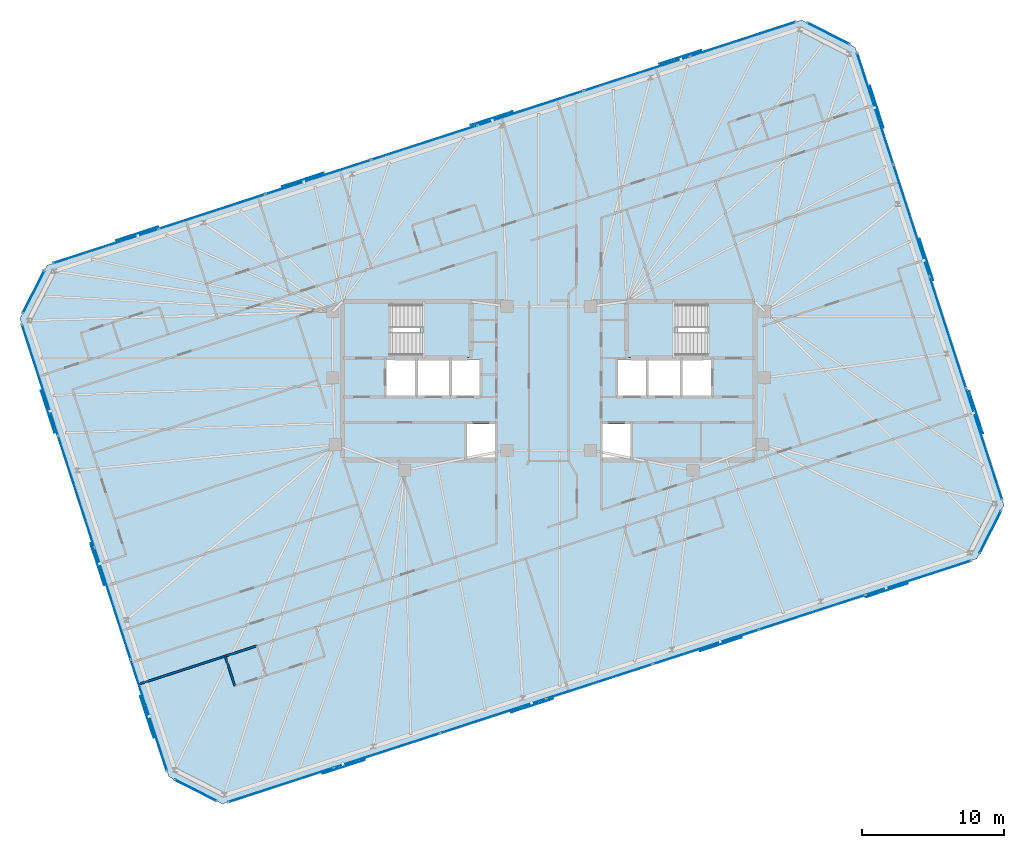
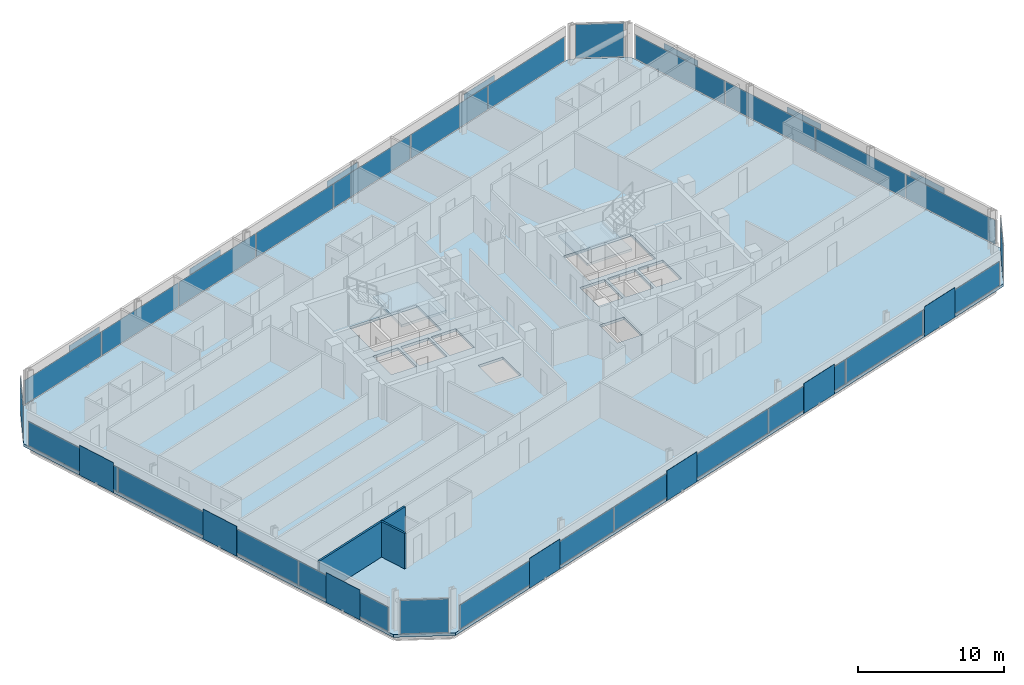
# One storey, part 12 of 19: 40 plates, 3 slabs, 3 walls, 10 elements without a shape of their own.
"""IFC4 building model written with IfcOpenShell, lengths in metres."""

from ifc_helpers import new_model, si_unit, direction, frame, frame_2d, origin, origin_2d, place, context, subcontext, project, spatial, polyline, rectangle, outline, extrude, material, layer, layer_set, type_object, element, aggregate, save


model = new_model("IFC4")

# Units and contexts
model_context = context("Model", 3, precision=1e-05, world=origin(), true_north=direction((0.0, 1.0)))
body_context = subcontext(model_context, "Body", "Model", "MODEL_VIEW")
ifc_project = project(units=[si_unit("LENGTHUNIT", "METRE"), si_unit("AREAUNIT", "SQUARE_METRE"), si_unit("VOLUMEUNIT", "CUBIC_METRE"), si_unit("PLANEANGLEUNIT", "RADIAN"), si_unit("MASSUNIT", "GRAM", prefix="KILO")], contexts=[model_context])

# Site, building, storey
site_placement = place(None, origin())
site = spatial("IfcSite", under=ifc_project, at=site_placement, CompositionType="ELEMENT")
building_placement = place(site_placement, origin())
building = spatial("IfcBuilding", under=site, at=building_placement, Name="Menara Jurai Vektor", CompositionType="ELEMENT")
storey_placement = place(building_placement, frame((0.0, 0.0, 251.10009765625)))
storey = spatial("IfcBuildingStorey", under=building, at=storey_placement, Name="L67", CompositionType="ELEMENT", Elevation=251.10009765625)

# Curtain wall, plates
ifc_material_1 = material(Name="Anodised Pale Aluminium & Low-E Double Glazing", Category="aluminium")
curtain_wall_type = type_object("IfcCurtainWallType", Name="CW-BLK4", PredefinedType="NOTDEFINED", material=ifc_material_1)
curtain_wall_1_placement = place(storey_placement, origin())
curtain_wall_1 = element("IfcCurtainWall", 1, at=curtain_wall_1_placement, inside=storey, type_object=curtain_wall_type, Name="Unitised Curtain Wall L67 F01", PredefinedType="NOTDEFINED")
ifc_material_2 = material(Name="Low-E Solar-Control Double Glazed Unit", Category="glass")
ifc_layer_1 = layer(ifc_material_2, 0.030029296875)
ifc_layer_set_1 = layer_set([ifc_layer_1], Name="Low-E Solar-Control Double Glazed Unit")
plate_type_1 = type_object("IfcPlateType", Name="CW-BLK4-PNL", PredefinedType="CURTAIN_PANEL", material=ifc_layer_set_1)
plate_1_placement = place(storey_placement, frame((-18.916259765625, -28.53076171875, 0.080078125), z_axis=(0.0, 0.0, 1.0), x_axis=(0.951056402641, 0.309017344167, 0.0)))
plate_1 = element("IfcPlate", 2, at=plate_1_placement, type_object=plate_type_1, Name="CW-04 panel 1.1", PredefinedType="CURTAIN_PANEL", context=body_context, shape_type="SweptSolid", body=[
    extrude(rectangle(XDim=7.771484375, YDim=0.030029296875, at=origin_2d()), origin(), (0.0, 0.0, 1.0), 2.014892578125),
])
plate_2_placement = place(storey_placement, frame((-11.429931640625, -26.098388671875, 0.080078125), z_axis=(0.0, 0.0, 1.0), x_axis=(0.951056402641, 0.309017344167, 0.0)))
plate_2 = element("IfcPlate", 3, at=plate_2_placement, type_object=plate_type_1, Name="CW-04 panel 2.1", PredefinedType="CURTAIN_PANEL", context=body_context, shape_type="SweptSolid", body=[
    extrude(rectangle(XDim=7.8115234375, YDim=0.030029296875, at=origin_2d()), origin(), (0.0, 0.0, 1.0), 2.014892578125),
])
plate_3_placement = place(storey_placement, frame((-3.9248046875, -23.65966796875, 0.080078125), z_axis=(0.0, 0.0, 1.0), x_axis=(0.951056402641, 0.309017344167, 0.0)))
plate_3 = element("IfcPlate", 4, at=plate_3_placement, type_object=plate_type_1, Name="CW-04 panel 3.1", PredefinedType="CURTAIN_PANEL", context=body_context, shape_type="SweptSolid", body=[
    extrude(rectangle(XDim=7.8115234375, YDim=0.030029296875, at=origin_2d()), origin(), (0.0, 0.0, 1.0), 2.014892578125),
])
plate_4_placement = place(storey_placement, frame((3.580322265625, -21.22119140625, 0.080078125), z_axis=(0.0, 0.0, 1.0), x_axis=(0.951056402641, 0.309017344167, 0.0)))
plate_4 = element("IfcPlate", 5, at=plate_4_placement, type_object=plate_type_1, Name="CW-04 panel 4.1", PredefinedType="CURTAIN_PANEL", context=body_context, shape_type="SweptSolid", body=[
    extrude(rectangle(XDim=7.8115234375, YDim=0.030029296875, at=origin_2d()), origin(), (0.0, 0.0, 1.0), 2.014892578125),
])
plate_5_placement = place(storey_placement, frame((11.08544921875, -18.782470703125, 0.080078125), z_axis=(0.0, 0.0, 1.0), x_axis=(0.951056402641, 0.309017344167, 0.0)))
plate_5 = element("IfcPlate", 6, at=plate_5_placement, type_object=plate_type_1, Name="CW-04 panel 5.1", PredefinedType="CURTAIN_PANEL", context=body_context, shape_type="SweptSolid", body=[
    extrude(rectangle(XDim=7.8115234375, YDim=0.030029296875, at=origin_2d()), origin(), (0.0, 0.0, 1.0), 2.014892578125),
])
plate_6_placement = place(storey_placement, frame((18.5908203125, -16.343994140625, 0.080078125), z_axis=(0.0, 0.0, 1.0), x_axis=(0.951056402641, 0.309017344167, 0.0)))
plate_6 = element("IfcPlate", 7, at=plate_6_placement, type_object=plate_type_1, Name="CW-04 panel 6.1", PredefinedType="CURTAIN_PANEL", context=body_context, shape_type="SweptSolid", body=[
    extrude(rectangle(XDim=7.8115234375, YDim=0.030029296875, at=origin_2d()), origin(), (0.0, 0.0, 1.0), 2.014892578125),
])
plate_7_placement = place(storey_placement, frame((26.076904296875, -13.91162109375, 0.080078125), z_axis=(0.0, 0.0, 1.0), x_axis=(0.951056402641, 0.309017344167, 0.0)))
plate_7 = element("IfcPlate", 8, at=plate_7_placement, type_object=plate_type_1, Name="CW-04 panel 7.1", PredefinedType="CURTAIN_PANEL", context=body_context, shape_type="SweptSolid", body=[
    extrude(rectangle(XDim=7.771484375, YDim=0.030029296875, at=origin_2d()), origin(), (0.0, 0.0, 1.0), 2.014892578125),
])
aggregate(curtain_wall_1, [plate_1, plate_2, plate_3, plate_4, plate_5, plate_6, plate_7])

curtain_wall_2_placement = place(storey_placement, origin())
curtain_wall_2 = element("IfcCurtainWall", 9, at=curtain_wall_2_placement, inside=storey, type_object=curtain_wall_type, Name="Unitised Curtain Wall L67 F03", PredefinedType="NOTDEFINED")
plate_8_placement = place(storey_placement, frame((30.728515625, -4.456298828125, 0.080078125), z_axis=(0.0, 0.0, 1.0), x_axis=(-0.309016481464, 0.95105668295, 0.0)))
plate_8 = element("IfcPlate", 10, at=plate_8_placement, type_object=plate_type_1, Name="CW-04 panel 1.1", PredefinedType="CURTAIN_PANEL", context=body_context, shape_type="SweptSolid", body=[
    extrude(rectangle(XDim=8.18994140625, YDim=0.030029296875, at=origin_2d()), origin(), (0.0, 0.0, 1.0), 2.014892578125),
])
plate_9_placement = place(storey_placement, frame((28.166748046875, 3.427978515625, 0.080078125), z_axis=(0.0, 0.0, 1.0), x_axis=(-0.309016481464, 0.95105668295, 0.0)))
plate_9 = element("IfcPlate", 11, at=plate_9_placement, type_object=plate_type_1, Name="CW-04 panel 2.1", PredefinedType="CURTAIN_PANEL", context=body_context, shape_type="SweptSolid", body=[
    extrude(rectangle(XDim=8.22998046875, YDim=0.030029296875, at=origin_2d()), origin(), (0.0, 0.0, 1.0), 2.014892578125),
])
plate_10_placement = place(storey_placement, frame((25.598876953125, 11.331298828125, 0.080078125), z_axis=(0.0, 0.0, 1.0), x_axis=(-0.309016481464, 0.95105668295, 0.0)))
plate_10 = element("IfcPlate", 12, at=plate_10_placement, type_object=plate_type_1, Name="CW-04 panel 3.1", PredefinedType="CURTAIN_PANEL", context=body_context, shape_type="SweptSolid", body=[
    extrude(rectangle(XDim=8.22998046875, YDim=0.030029296875, at=origin_2d()), origin(), (0.0, 0.0, 1.0), 2.014892578125),
])
plate_11_placement = place(storey_placement, frame((23.037109375, 19.21533203125, 0.080078125), z_axis=(0.0, 0.0, 1.0), x_axis=(-0.309016481464, 0.95105668295, 0.0)))
plate_11 = element("IfcPlate", 13, at=plate_11_placement, type_object=plate_type_1, Name="CW-04 panel 4.1", PredefinedType="CURTAIN_PANEL", context=body_context, shape_type="SweptSolid", body=[
    extrude(rectangle(XDim=8.18994140625, YDim=0.030029296875, at=origin_2d()), origin(), (0.0, 0.0, 1.0), 2.014892578125),
])
aggregate(curtain_wall_2, [plate_8, plate_9, plate_10, plate_11])

curtain_wall_3_placement = place(storey_placement, origin())
curtain_wall_3 = element("IfcCurtainWall", 14, at=curtain_wall_3_placement, inside=storey, type_object=curtain_wall_type, Name="Unitised Curtain Wall L67 F05", PredefinedType="NOTDEFINED")
plate_12_placement = place(storey_placement, frame((13.716064453125, 24.130615234375, 0.080078125), z_axis=(0.0, 0.0, 1.0), x_axis=(-0.951056402641, -0.309017344167, 0.0)))
plate_12 = element("IfcPlate", 15, at=plate_12_placement, type_object=plate_type_1, Name="CW-04 panel 1.1", PredefinedType="CURTAIN_PANEL", context=body_context, shape_type="SweptSolid", body=[
    extrude(rectangle(XDim=7.771484375, YDim=0.030029296875, at=origin_2d()), origin(), (0.0, 0.0, 1.0), 2.014892578125),
])
plate_13_placement = place(storey_placement, frame((6.22998046875, 21.6982421875, 0.080078125), z_axis=(0.0, 0.0, 1.0), x_axis=(-0.951056402641, -0.309017344167, 0.0)))
plate_13 = element("IfcPlate", 16, at=plate_13_placement, type_object=plate_type_1, Name="CW-04 panel 2.1", PredefinedType="CURTAIN_PANEL", context=body_context, shape_type="SweptSolid", body=[
    extrude(rectangle(XDim=7.8115234375, YDim=0.030029296875, at=origin_2d()), origin(), (0.0, 0.0, 1.0), 2.014892578125),
])
plate_14_placement = place(storey_placement, frame((-1.275146484375, 19.259765625, 0.080078125), z_axis=(0.0, 0.0, 1.0), x_axis=(-0.951056402641, -0.309017344167, 0.0)))
plate_14 = element("IfcPlate", 17, at=plate_14_placement, type_object=plate_type_1, Name="CW-04 panel 3.1", PredefinedType="CURTAIN_PANEL", context=body_context, shape_type="SweptSolid", body=[
    extrude(rectangle(XDim=7.8115234375, YDim=0.030029296875, at=origin_2d()), origin(), (0.0, 0.0, 1.0), 2.014892578125),
])
plate_15_placement = place(storey_placement, frame((-8.7802734375, 16.821044921875, 0.080078125), z_axis=(0.0, 0.0, 1.0), x_axis=(-0.951056402641, -0.309017344167, 0.0)))
plate_15 = element("IfcPlate", 18, at=plate_15_placement, type_object=plate_type_1, Name="CW-04 panel 4.1", PredefinedType="CURTAIN_PANEL", context=body_context, shape_type="SweptSolid", body=[
    extrude(rectangle(XDim=7.8115234375, YDim=0.030029296875, at=origin_2d()), origin(), (0.0, 0.0, 1.0), 2.014892578125),
])
plate_16_placement = place(storey_placement, frame((-16.28564453125, 14.382568359375, 0.080078125), z_axis=(0.0, 0.0, 1.0), x_axis=(-0.951056402641, -0.309017344167, 0.0)))
plate_16 = element("IfcPlate", 19, at=plate_16_placement, type_object=plate_type_1, Name="CW-04 panel 5.1", PredefinedType="CURTAIN_PANEL", context=body_context, shape_type="SweptSolid", body=[
    extrude(rectangle(XDim=7.8115234375, YDim=0.030029296875, at=origin_2d()), origin(), (0.0, 0.0, 1.0), 2.014892578125),
])
plate_17_placement = place(storey_placement, frame((-23.790771484375, 11.944091796875, 0.080078125), z_axis=(0.0, 0.0, 1.0), x_axis=(-0.951056402641, -0.309017344167, 0.0)))
plate_17 = element("IfcPlate", 20, at=plate_17_placement, type_object=plate_type_1, Name="CW-04 panel 6.1", PredefinedType="CURTAIN_PANEL", context=body_context, shape_type="SweptSolid", body=[
    extrude(rectangle(XDim=7.8115234375, YDim=0.030029296875, at=origin_2d()), origin(), (0.0, 0.0, 1.0), 2.014892578125),
])
plate_18_placement = place(storey_placement, frame((-31.27685546875, 9.511474609375, 0.080078125), z_axis=(0.0, 0.0, 1.0), x_axis=(-0.951056402641, -0.309017344167, 0.0)))
plate_18 = element("IfcPlate", 21, at=plate_18_placement, type_object=plate_type_1, Name="CW-04 panel 7.1", PredefinedType="CURTAIN_PANEL", context=body_context, shape_type="SweptSolid", body=[
    extrude(rectangle(XDim=7.771484375, YDim=0.030029296875, at=origin_2d()), origin(), (0.0, 0.0, 1.0), 2.014892578125),
])
aggregate(curtain_wall_3, [plate_12, plate_13, plate_14, plate_15, plate_16, plate_17, plate_18])

curtain_wall_4_placement = place(storey_placement, origin())
curtain_wall_4 = element("IfcCurtainWall", 22, at=curtain_wall_4_placement, inside=storey, type_object=curtain_wall_type, Name="Unitised Curtain Wall L67 F07", PredefinedType="NOTDEFINED")
plate_19_placement = place(storey_placement, frame((-35.928466796875, 0.056396484375, 0.080078125), z_axis=(0.0, 0.0, 1.0), x_axis=(0.309016481464, -0.95105668295, 0.0)))
plate_19 = element("IfcPlate", 23, at=plate_19_placement, type_object=plate_type_1, Name="CW-04 panel 1.1", PredefinedType="CURTAIN_PANEL", context=body_context, shape_type="SweptSolid", body=[
    extrude(rectangle(XDim=8.18994140625, YDim=0.030029296875, at=origin_2d()), origin(), (0.0, 0.0, 1.0), 2.014892578125),
])
plate_20_placement = place(storey_placement, frame((-33.36669921875, -7.827880859375, 0.080078125), z_axis=(0.0, 0.0, 1.0), x_axis=(0.309016481464, -0.95105668295, 0.0)))
plate_20 = element("IfcPlate", 24, at=plate_20_placement, type_object=plate_type_1, Name="CW-04 panel 2.1", PredefinedType="CURTAIN_PANEL", context=body_context, shape_type="SweptSolid", body=[
    extrude(rectangle(XDim=8.22998046875, YDim=0.030029296875, at=origin_2d()), origin(), (0.0, 0.0, 1.0), 2.014892578125),
])
plate_21_placement = place(storey_placement, frame((-30.798828125, -15.731201171875, 0.080078125), z_axis=(0.0, 0.0, 1.0), x_axis=(0.309016481464, -0.95105668295, 0.0)))
plate_21 = element("IfcPlate", 25, at=plate_21_placement, type_object=plate_type_1, Name="CW-04 panel 3.1", PredefinedType="CURTAIN_PANEL", context=body_context, shape_type="SweptSolid", body=[
    extrude(rectangle(XDim=8.22998046875, YDim=0.030029296875, at=origin_2d()), origin(), (0.0, 0.0, 1.0), 2.014892578125),
])
plate_22_placement = place(storey_placement, frame((-28.237060546875, -23.615478515625, 0.080078125), z_axis=(0.0, 0.0, 1.0), x_axis=(0.309016481464, -0.95105668295, 0.0)))
plate_22 = element("IfcPlate", 26, at=plate_22_placement, type_object=plate_type_1, Name="CW-04 panel 4.1", PredefinedType="CURTAIN_PANEL", context=body_context, shape_type="SweptSolid", body=[
    extrude(rectangle(XDim=8.18994140625, YDim=0.030029296875, at=origin_2d()), origin(), (0.0, 0.0, 1.0), 2.014892578125),
])
aggregate(curtain_wall_4, [plate_19, plate_20, plate_21, plate_22])

# Curtain wall, plate
curtain_wall_5_placement = place(storey_placement, origin())
curtain_wall_5 = element("IfcCurtainWall", 27, at=curtain_wall_5_placement, inside=storey, type_object=curtain_wall_type, Name="Unitised Curtain Wall L67 F02", PredefinedType="NOTDEFINED")
ifc_material_3 = material(Name="Insulated Pale Aluminium Spandrel Panel", Category="aluminium")
ifc_layer_2 = layer(ifc_material_3, 0.06005859375)
ifc_layer_set_2 = layer_set([ifc_layer_2], Name="Insulated Pale Aluminium Spandrel Panel")
plate_type_2 = type_object("IfcPlateType", Name="CW-PNL-SP", PredefinedType="CURTAIN_PANEL", material=ifc_layer_set_2)
plate_23_placement = place(storey_placement, frame((31.1728515625, -10.678466796875, 0.080078125), z_axis=(0.0, 0.0, 1.0), x_axis=(0.453988579828, 0.89100750243, 0.0)))
plate_23 = element("IfcPlate", 28, at=plate_23_placement, type_object=plate_type_2, Name="CW-04 panel 1.1", PredefinedType="CURTAIN_PANEL", context=body_context, shape_type="SweptSolid", body=[
    extrude(rectangle(XDim=3.32275390625, YDim=0.06005859375, at=origin_2d()), origin(), (0.0, 0.0, 1.0), 2.784912109375),
])
aggregate(curtain_wall_5, [plate_23])

curtain_wall_6_placement = place(storey_placement, origin())
curtain_wall_6 = element("IfcCurtainWall", 29, at=curtain_wall_6_placement, inside=storey, type_object=curtain_wall_type, Name="Unitised Curtain Wall L67 F04", PredefinedType="NOTDEFINED")
plate_24_placement = place(storey_placement, frame((19.7392578125, 24.510498046875, 0.080078125), z_axis=(0.0, 0.0, 1.0), x_axis=(-0.89100750243, 0.453988579828, 0.0)))
plate_24 = element("IfcPlate", 30, at=plate_24_placement, type_object=plate_type_2, Name="CW-04 panel 1.1", PredefinedType="CURTAIN_PANEL", context=body_context, shape_type="SweptSolid", body=[
    extrude(rectangle(XDim=3.32275390625, YDim=0.06005859375, at=origin_2d()), origin(), (0.0, 0.0, 1.0), 2.784912109375),
])
aggregate(curtain_wall_6, [plate_24])

curtain_wall_7_placement = place(storey_placement, origin())
curtain_wall_7 = element("IfcCurtainWall", 31, at=curtain_wall_7_placement, inside=storey, type_object=curtain_wall_type, Name="Unitised Curtain Wall L67 F06", PredefinedType="NOTDEFINED")
plate_25_placement = place(storey_placement, frame((-36.373046875, 6.278564453125, 0.080078125), z_axis=(0.0, 0.0, 1.0), x_axis=(-0.453988579828, -0.89100750243, 0.0)))
plate_25 = element("IfcPlate", 32, at=plate_25_placement, type_object=plate_type_2, Name="CW-04 panel 1.1", PredefinedType="CURTAIN_PANEL", context=body_context, shape_type="SweptSolid", body=[
    extrude(rectangle(XDim=3.32275390625, YDim=0.06005859375, at=origin_2d()), origin(), (0.0, 0.0, 1.0), 2.784912109375),
])
aggregate(curtain_wall_7, [plate_25])

curtain_wall_8_placement = place(storey_placement, origin())
curtain_wall_8 = element("IfcCurtainWall", 33, at=curtain_wall_8_placement, inside=storey, type_object=curtain_wall_type, Name="Unitised Curtain Wall L67 F08", PredefinedType="NOTDEFINED")
plate_26_placement = place(storey_placement, frame((-24.939453125, -28.91064453125, 0.080078125), z_axis=(0.0, 0.0, 1.0), x_axis=(0.89100750243, -0.453988579828, 0.0)))
plate_26 = element("IfcPlate", 34, at=plate_26_placement, type_object=plate_type_2, Name="CW-04 panel 1.1", PredefinedType="CURTAIN_PANEL", context=body_context, shape_type="SweptSolid", body=[
    extrude(rectangle(XDim=3.32275390625, YDim=0.06005859375, at=origin_2d()), origin(), (0.0, 0.0, 1.0), 2.784912109375),
])
aggregate(curtain_wall_8, [plate_26])

# Plates
ifc_material_4 = material(Name="Anodised Pale Aluminium Perforated Screen", Category="aluminium")
ifc_layer_3 = layer(ifc_material_4, 0.02197265625)
ifc_layer_set_3 = layer_set([ifc_layer_3], Name="Anodised Pale Aluminium Perforated Screen")
plate_type_3 = type_object("IfcPlateType", Name="ENV-PLT-SCREEN-HI", PredefinedType="USERDEFINED", material=ifc_layer_set_3)
for number, where, z_axis, x_axis, name in (
    (35, (-14.478271484375, -27.257080078125, -0.050048828125), (0.0, 0.0, 1.0), (0.951056516295, 0.309016994375, 0.0), "Perforated Pale-Metal Solar Screen L67-S01"),
    (36, (-1.16357421875, -22.930908203125, -0.050048828125), (0.0, 0.0, 1.0), (0.951056516295, 0.309016994375, 0.0), "Perforated Pale-Metal Solar Screen L67-S02"),
    (37, (12.151123046875, -18.6044921875, -0.050048828125), (0.0, 0.0, 1.0), (0.951056516295, 0.309016994375, 0.0), "Perforated Pale-Metal Solar Screen L67-S03"),
    (38, (23.868408203125, -14.797607421875, -0.050048828125), (0.0, 0.0, 1.0), (0.951056516295, 0.309016994375, 0.0), "Perforated Pale-Metal Solar Screen L67-S04"),
    (39, (30.16943359375, -2.218017578125, -0.050048828125), (0.0, 0.0, 1.0), (-0.309016994375, 0.951056516295, 0.0), "Perforated Pale-Metal Solar Screen L67-S05"),
    (40, (26.667236328125, 8.560791015625, -0.050048828125), (0.0, 0.0, 1.0), (-0.309016994375, 0.951056516295, 0.0), "Perforated Pale-Metal Solar Screen L67-S06"),
    (41, (23.1650390625, 19.33935546875, -0.050048828125), (0.0, 0.0, 1.0), (-0.309016994375, 0.951056516295, 0.0), "Perforated Pale-Metal Solar Screen L67-S07"),
    (42, (9.2783203125, 22.85693359375, -0.050048828125), (0.0, 0.0, 1.0), (-0.951056516295, -0.309016994375, 0.0), "Perforated Pale-Metal Solar Screen L67-S08"),
    (43, (-4.03662109375, 18.53076171875, -0.050048828125), (0.0, 0.0, 1.0), (-0.951056516295, -0.309016994375, 0.0), "Perforated Pale-Metal Solar Screen L67-S09"),
    (44, (-17.351318359375, 14.20458984375, -0.050048828125), (0.0, 0.0, 1.0), (-0.951056516295, -0.309016994375, 0.0), "Perforated Pale-Metal Solar Screen L67-S10"),
    (45, (-29.068359375, 10.3974609375, -0.050048828125), (0.0, 0.0, 1.0), (-0.951056516295, -0.309016994375, 0.0), "Perforated Pale-Metal Solar Screen L67-S11"),
    (46, (-35.369384765625, -2.18212890625, -0.050048828125), (0.0, 0.0, 1.0), (0.309016994375, -0.951056516295, 0.0), "Perforated Pale-Metal Solar Screen L67-S12"),
    (47, (-31.8671875, -12.960693359375, -0.050048828125), (0.0, 0.0, 1.0), (0.309016994375, -0.951056516295, 0.0), "Perforated Pale-Metal Solar Screen L67-S13"),
    (48, (-28.364990234375, -23.739501953125, -0.050048828125), (0.0, 0.0, 1.0), (0.309016994375, -0.951056516295, 0.0), "Perforated Pale-Metal Solar Screen L67-S14"),
):
    element("IfcPlate", number, at=place(storey_placement, frame(where, z_axis=z_axis, x_axis=x_axis)), inside=storey, type_object=plate_type_3, Name=name, ObjectType="SCREEN", PredefinedType="USERDEFINED", context=body_context, shape_type="SweptSolid", body=[
        extrude(rectangle(XDim=3.10009765625, YDim=0.02197265625, at=origin_2d()), origin(), (0.0, 0.0, 1.0), 2.5),
    ])

# Stair, slab
ifc_material_5 = material(Name="Concrete C40/50", Category="concrete")
stair_type = type_object("IfcStairType", Name="STAIR-DOGLEG-1500", PredefinedType="HALF_TURN_STAIR", material=ifc_material_5)
stair_1_placement = place(storey_placement, origin())
stair_1 = element("IfcStair", 49, at=stair_1_placement, inside=storey, type_object=stair_type, Name="Protected Exit Stair ST1 L67", PredefinedType="HALF_TURN_STAIR")
ifc_layer_4 = layer(ifc_material_5, 0.199951171875)
ifc_layer_set_4 = layer_set([ifc_layer_4], Name="Concrete C40/50")
slab_type_1 = type_object("IfcSlabType", Name="STAIR-LANDING-200", PredefinedType="LANDING", material=ifc_layer_set_4)
slab_1_placement = place(storey_placement, frame((0.0, 0.0, 1.474853515625)))
slab_1 = element("IfcSlab", 50, at=slab_1_placement, type_object=slab_type_1, Name="ST1 landing 1", PredefinedType="LANDING", context=body_context, shape_type="SweptSolid", body=[
    extrude(outline(polyline([(-9.080078125, 1.64990234375), (-5.550048828125, 1.64990234375), (-5.550048828125, 5.550048828125), (-9.080078125, 5.550048828125), (-9.080078125, 1.64990234375)])), origin(), (0.0, 0.0, 1.0), 0.199951171875),
])
aggregate(stair_1, [slab_1])

stair_2_placement = place(storey_placement, origin())
stair_2 = element("IfcStair", 51, at=stair_2_placement, inside=storey, type_object=stair_type, Name="Protected Exit Stair ST2 L67", PredefinedType="HALF_TURN_STAIR")
slab_2_placement = place(storey_placement, frame((0.0, 0.0, 1.474853515625)))
slab_2 = element("IfcSlab", 52, at=slab_2_placement, type_object=slab_type_1, Name="ST2 landing 1", PredefinedType="LANDING", context=body_context, shape_type="SweptSolid", body=[
    extrude(outline(polyline([(5.550048828125, 1.64990234375), (9.080078125, 1.64990234375), (9.080078125, 5.550048828125), (5.550048828125, 5.550048828125), (5.550048828125, 1.64990234375)])), origin(), (0.0, 0.0, 1.0), 0.199951171875),
])
aggregate(stair_2, [slab_2])

# Slab
ifc_layer_5 = layer(ifc_material_5, 0.22509765625)
ifc_layer_set_5 = layer_set([ifc_layer_5], Name="Concrete C40/50")
slab_type_2 = type_object("IfcSlabType", Name="STR-SLAB-TYP200", PredefinedType="FLOOR", material=ifc_layer_set_5)
slab_3_placement = place(storey_placement, frame((0.0, 0.0, -0.22509765625)))
element("IfcSlab", 53, at=slab_3_placement, inside=storey, type_object=slab_type_2, Name="Composite Floor Slab L67", PredefinedType="FLOOR", context=body_context, shape_type="SweptSolid", body=[
    extrude(outline(polyline([(-23.04931640625, -29.87353515625), (30.2099609375, -12.568603515625), (32.135986328125, -8.788330078125), (21.62939453125, 23.547607421875), (17.84912109375, 25.4736328125), (-35.409912109375, 8.168701171875), (-37.3359375, 4.388427734375), (-26.82958984375, -27.947509765625), (-23.04931640625, -29.87353515625)]), holes=[polyline([(-11.10009765625, 1.89990234375), (-11.10009765625, 5.300048828125), (-5.800048828125, 5.300048828125), (-5.800048828125, 1.89990234375), (-11.10009765625, 1.89990234375)]), polyline([(5.800048828125, 1.89990234375), (5.800048828125, 5.300048828125), (11.10009765625, 5.300048828125), (11.10009765625, 1.89990234375), (5.800048828125, 1.89990234375)]), polyline([(-11.449951171875, -1.050048828125), (-11.449951171875, 1.5), (-9.449951171875, 1.5), (-9.449951171875, -1.050048828125), (-11.449951171875, -1.050048828125)]), polyline([(9.449951171875, -1.050048828125), (9.449951171875, 1.5), (11.449951171875, 1.5), (11.449951171875, -1.050048828125), (9.449951171875, -1.050048828125)]), polyline([(-5.760009765625, -5.5), (-5.760009765625, -3.050048828125), (-3.800048828125, -3.050048828125), (-3.800048828125, -5.5), (-5.760009765625, -5.5)]), polyline([(-6.85009765625, -1.050048828125), (-6.85009765625, 1.5), (-4.889892578125, 1.5), (-4.889892578125, -1.050048828125), (-6.85009765625, -1.050048828125)]), polyline([(3.800048828125, -5.5), (3.800048828125, -3.050048828125), (5.760009765625, -3.050048828125), (5.760009765625, -5.5), (3.800048828125, -5.5)]), polyline([(4.889892578125, -1.050048828125), (4.889892578125, 1.5), (6.85009765625, 1.5), (6.85009765625, -1.050048828125), (4.889892578125, -1.050048828125)]), polyline([(-9.25, -1.050048828125), (-9.25, 1.5), (-7.050048828125, 1.5), (-7.050048828125, -1.050048828125), (-9.25, -1.050048828125)]), polyline([(7.050048828125, -1.050048828125), (7.050048828125, 1.5), (9.25, 1.5), (9.25, -1.050048828125), (7.050048828125, -1.050048828125)])]), origin(), (0.0, 0.0, 1.0), 0.22509765625),
])

# Walls
ifc_material_6 = material(Name="Gypsum Fireboard Partition", Category="gypsum")
ifc_layer_6 = layer(ifc_material_6, 0.14990234375)
ifc_layer_set_6 = layer_set([ifc_layer_6], Name="Gypsum Fireboard Partition")
wall_type = type_object("IfcWallType", Name="INT-WALL-CORR-150", PredefinedType="PARTITIONING", material=ifc_layer_set_6)
wall_1_placement = place(storey_placement, frame((-28.949951171875, -21.42138671875, 0.0), z_axis=(0.0, 0.0, 1.0), x_axis=(0.951048062645, 0.309043010825, 0.0)))
element("IfcWall", 54, at=wall_1_placement, inside=storey, type_object=wall_type, Name="Interior Wall IW-150 L67", PredefinedType="PARTITIONING", context=body_context, shape_type="SweptSolid", body=[
    extrude(rectangle(XDim=6.409912109375, YDim=0.14990234375, at=frame_2d((3.205078125, 0.0))), origin(), (0.0, 0.0, 1.0), 2.949951171875),
])
wall_2_placement = place(storey_placement, frame((-22.853759765625, -19.4404296875, 0.0), z_axis=(0.0, 0.0, 1.0), x_axis=(0.951076048914, 0.308956872689, 0.0)))
element("IfcWall", 55, at=wall_2_placement, inside=storey, type_object=wall_type, Name="Interior Wall IW-150 L67", PredefinedType="PARTITIONING", context=body_context, shape_type="SweptSolid", body=[
    extrude(rectangle(XDim=2.35009765625, YDim=0.14990234375, at=frame_2d((1.175048828125, 0.0))), origin(), (0.0, 0.0, 1.0), 2.949951171875),
])
wall_3_placement = place(storey_placement, frame((-22.173828125, -21.532958984375, 0.0), z_axis=(0.0, 0.0, 1.0), x_axis=(-0.309028364152, 0.951052821956, 0.0)))
element("IfcWall", 56, at=wall_3_placement, inside=storey, type_object=wall_type, Name="Interior Wall IW-150 L67", PredefinedType="PARTITIONING", context=body_context, shape_type="SweptSolid", body=[
    extrude(rectangle(XDim=2.2001953125, YDim=0.14990234375, at=frame_2d((1.10009765625, 0.0))), origin(), (0.0, 0.0, 1.0), 2.949951171875),
])

save(model, "model.ifc")
